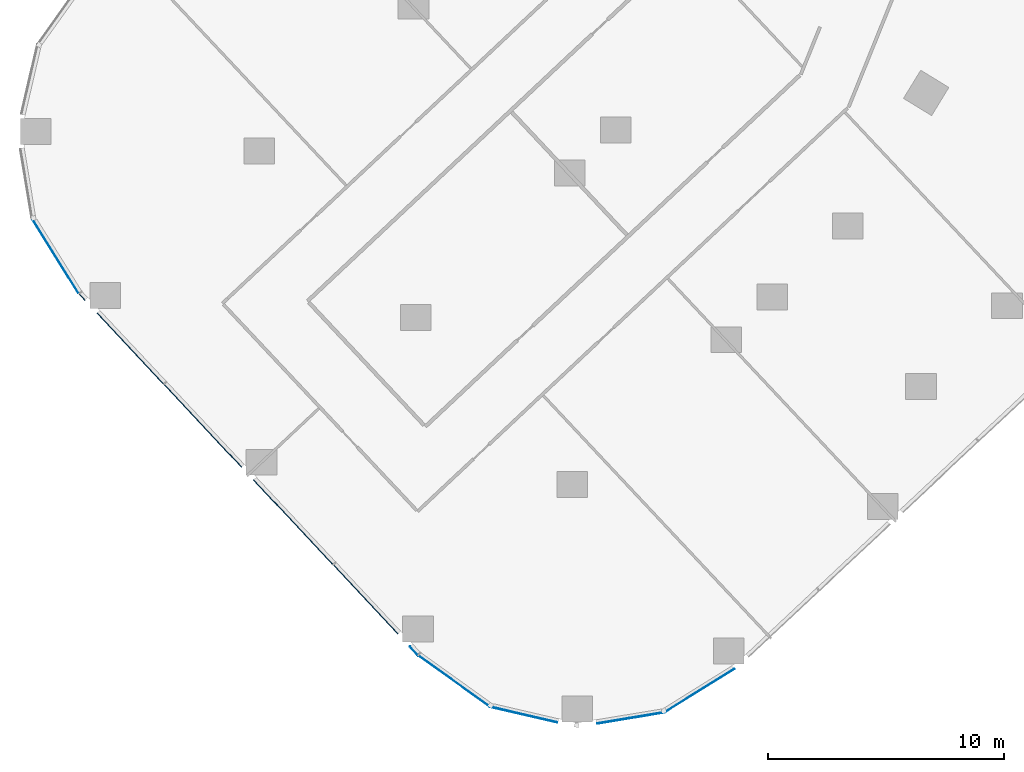
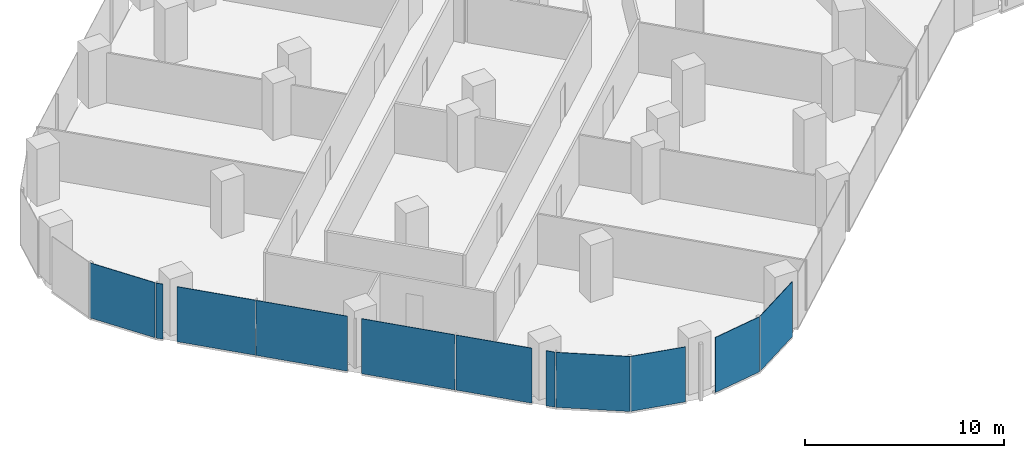
# One storey, part 17 of 34: 11 plates, 6 elements without a shape of their own.
"""IFC4 building model written with IfcOpenShell, lengths in metres."""

from ifc_helpers import new_model, si_unit, direction, frame, origin, origin_2d, place, context, subcontext, project, spatial, rectangle, extrude, material, layer, layer_set, type_object, element, aggregate, save


model = new_model("IFC4")

# Units and contexts
model_context = context("Model", 3, precision=1e-05, world=origin(), true_north=direction((0.0, 1.0)))
body_context = subcontext(model_context, "Body", "Model", "MODEL_VIEW")
ifc_project = project(units=[si_unit("LENGTHUNIT", "METRE"), si_unit("AREAUNIT", "SQUARE_METRE"), si_unit("VOLUMEUNIT", "CUBIC_METRE"), si_unit("PLANEANGLEUNIT", "RADIAN"), si_unit("MASSUNIT", "GRAM", prefix="KILO")], contexts=[model_context])

# Site, building, storey
site_placement = place(None, origin())
site = spatial("IfcSite", under=ifc_project, at=site_placement, CompositionType="ELEMENT")
building_placement = place(site_placement, origin())
building = spatial("IfcBuilding", under=site, at=building_placement, Name="Orlundy Tower", CompositionType="ELEMENT")
storey_placement = place(building_placement, frame((0.0, 0.0, 44.300048828125)))
storey = spatial("IfcBuildingStorey", under=building, at=storey_placement, Name="L09", CompositionType="ELEMENT", Elevation=44.300048828125)

# Curtain wall, plate
ifc_material_1 = material(Name="Aluminium bronze anodised", Category="aluminium")
curtain_wall_type = type_object("IfcCurtainWallType", Name="CW1 wall", PredefinedType="NOTDEFINED", material=ifc_material_1)
curtain_wall_1_placement = place(storey_placement, origin())
curtain_wall_1 = element("IfcCurtainWall", 1, at=curtain_wall_1_placement, inside=storey, type_object=curtain_wall_type, Name="CW1 run 019", PredefinedType="NOTDEFINED")
ifc_material_2 = material(Name="Tinted glass", Category="glass")
ifc_layer = layer(ifc_material_2, 0.031982421875)
ifc_layer_set = layer_set([ifc_layer], Name="CW1 glass panel 32")
plate_type = type_object("IfcPlateType", Name="CW1 glass panel 32", PredefinedType="CURTAIN_PANEL", material=ifc_layer_set)
plate_1_placement = place(storey_placement, frame((-25.117431640625, -50.668701171875, -0.300048828125), z_axis=(0.0, 0.0, 1.0), x_axis=(-0.848951715627, -0.528470419734, 0.0)))
plate_1 = element("IfcPlate", 2, at=plate_1_placement, type_object=plate_type, Name="CW1 panel", PredefinedType="CURTAIN_PANEL", context=body_context, shape_type="SweptSolid", body=[
    extrude(rectangle(XDim=3.49951171875, YDim=0.031982421875, at=origin_2d()), origin(), (0.0, 0.0, 1.0), 3.3798828125),
])
aggregate(curtain_wall_1, [plate_1])

curtain_wall_2_placement = place(storey_placement, origin())
curtain_wall_2 = element("IfcCurtainWall", 3, at=curtain_wall_2_placement, inside=storey, type_object=curtain_wall_type, Name="CW1 run 020", PredefinedType="NOTDEFINED")
plate_2_placement = place(storey_placement, frame((-28.02587890625, -51.82958984375, -0.300048828125), z_axis=(0.0, 0.0, 1.0), x_axis=(-0.986495831177, -0.163786370223, 0.0)))
plate_2 = element("IfcPlate", 4, at=plate_2_placement, type_object=plate_type, Name="CW1 panel", PredefinedType="CURTAIN_PANEL", context=body_context, shape_type="SweptSolid", body=[
    extrude(rectangle(XDim=2.885009765625, YDim=0.031982421875, at=origin_2d()), origin(), (0.0, 0.0, 1.0), 3.3798828125),
])
aggregate(curtain_wall_2, [plate_2])

curtain_wall_3_placement = place(storey_placement, origin())
curtain_wall_3 = element("IfcCurtainWall", 5, at=curtain_wall_3_placement, inside=storey, type_object=curtain_wall_type, Name="CW1 run 021", PredefinedType="NOTDEFINED")
plate_3_placement = place(storey_placement, frame((-32.573486328125, -51.688232421875, -0.300048828125), z_axis=(0.0, 0.0, 1.0), x_axis=(-0.974053680026, 0.226317097073, 0.0)))
plate_3 = element("IfcPlate", 6, at=plate_3_placement, type_object=plate_type, Name="CW1 panel", PredefinedType="CURTAIN_PANEL", context=body_context, shape_type="SweptSolid", body=[
    extrude(rectangle(XDim=2.9248046875, YDim=0.031982421875, at=origin_2d()), origin(), (0.0, 0.0, 1.0), 3.3798828125),
])
aggregate(curtain_wall_3, [plate_3])

curtain_wall_4_placement = place(storey_placement, origin())
curtain_wall_4 = element("IfcCurtainWall", 7, at=curtain_wall_4_placement, inside=storey, type_object=curtain_wall_type, Name="CW1 run 022", PredefinedType="NOTDEFINED")
plate_4_placement = place(storey_placement, frame((-35.514404296875, -50.27197265625, -0.300048828125), z_axis=(0.0, 0.0, 1.0), x_axis=(-0.813204454711, 0.58197810512, 0.0)))
plate_4 = element("IfcPlate", 8, at=plate_4_placement, type_object=plate_type, Name="CW1 panel", PredefinedType="CURTAIN_PANEL", context=body_context, shape_type="SweptSolid", body=[
    extrude(rectangle(XDim=3.72998046875, YDim=0.031982421875, at=origin_2d()), origin(), (0.0, 0.0, 1.0), 3.3798828125),
])
aggregate(curtain_wall_4, [plate_4])

# Curtain wall, plates
curtain_wall_5_placement = place(storey_placement, origin())
curtain_wall_5 = element("IfcCurtainWall", 9, at=curtain_wall_5_placement, inside=storey, type_object=curtain_wall_type, Name="CW1 run 023", PredefinedType="NOTDEFINED")
plate_5_placement = place(storey_placement, frame((-37.232666015625, -48.978759765625, -0.300048828125), z_axis=(0.0, 0.0, 1.0), x_axis=(-0.684126430551, 0.729363439598, 0.0)))
plate_5 = element("IfcPlate", 10, at=plate_5_placement, type_object=plate_type, Name="CW1 panel", PredefinedType="CURTAIN_PANEL", context=body_context, shape_type="SweptSolid", body=[
    extrude(rectangle(XDim=0.4794921875, YDim=0.031982421875, at=origin_2d()), origin(), (0.0, 0.0, 1.0), 3.3798828125),
])
plate_6_placement = place(storey_placement, frame((-39.27001953125, -46.806640625, -0.300048828125), z_axis=(0.0, 0.0, 1.0), x_axis=(-0.684126430551, 0.729363439598, 0.0)))
plate_6 = element("IfcPlate", 11, at=plate_6_placement, type_object=plate_type, Name="CW1 panel", PredefinedType="CURTAIN_PANEL", context=body_context, shape_type="SweptSolid", body=[
    extrude(rectangle(XDim=3.996826171875, YDim=0.031982421875, at=origin_2d()), origin(), (0.0, 0.0, 1.0), 3.3798828125),
])
plate_7_placement = place(storey_placement, frame((-42.352294921875, -43.520751953125, -0.300048828125), z_axis=(0.0, 0.0, 1.0), x_axis=(-0.684126430551, 0.729363439598, 0.0)))
plate_7 = element("IfcPlate", 12, at=plate_7_placement, type_object=plate_type, Name="CW1 panel", PredefinedType="CURTAIN_PANEL", context=body_context, shape_type="SweptSolid", body=[
    extrude(rectangle(XDim=4.91357421875, YDim=0.031982421875, at=origin_2d()), origin(), (0.0, 0.0, 1.0), 3.3798828125),
])
plate_8_placement = place(storey_placement, frame((-46.179931640625, -39.43994140625, -0.300048828125), z_axis=(0.0, 0.0, 1.0), x_axis=(-0.684126430551, 0.729363439598, 0.0)))
plate_8 = element("IfcPlate", 13, at=plate_8_placement, type_object=plate_type, Name="CW1 panel", PredefinedType="CURTAIN_PANEL", context=body_context, shape_type="SweptSolid", body=[
    extrude(rectangle(XDim=4.797119140625, YDim=0.031982421875, at=origin_2d()), origin(), (0.0, 0.0, 1.0), 3.3798828125),
])
plate_9_placement = place(storey_placement, frame((-49.261962890625, -36.154052734375, -0.300048828125), z_axis=(0.0, 0.0, 1.0), x_axis=(-0.684126430551, 0.729363439598, 0.0)))
plate_9 = element("IfcPlate", 14, at=plate_9_placement, type_object=plate_type, Name="CW1 panel", PredefinedType="CURTAIN_PANEL", context=body_context, shape_type="SweptSolid", body=[
    extrude(rectangle(XDim=4.113525390625, YDim=0.031982421875, at=origin_2d()), origin(), (0.0, 0.0, 1.0), 3.3798828125),
])
plate_10_placement = place(storey_placement, frame((-51.29931640625, -33.982177734375, -0.300048828125), z_axis=(0.0, 0.0, 1.0), x_axis=(-0.684126430551, 0.729363439598, 0.0)))
plate_10 = element("IfcPlate", 15, at=plate_10_placement, type_object=plate_type, Name="CW1 panel", PredefinedType="CURTAIN_PANEL", context=body_context, shape_type="SweptSolid", body=[
    extrude(rectangle(XDim=0.36328125, YDim=0.031982421875, at=origin_2d()), origin(), (0.0, 0.0, 1.0), 3.3798828125),
])
aggregate(curtain_wall_5, [plate_5, plate_6, plate_7, plate_8, plate_9, plate_10])

# Curtain wall, plate
curtain_wall_6_placement = place(storey_placement, origin())
curtain_wall_6 = element("IfcCurtainWall", 16, at=curtain_wall_6_placement, inside=storey, type_object=curtain_wall_type, Name="CW1 run 024", PredefinedType="NOTDEFINED")
plate_11_placement = place(storey_placement, frame((-52.440185546875, -32.22705078125, -0.300048828125), z_axis=(0.0, 0.0, 1.0), x_axis=(-0.528785864693, 0.848755270558, 0.0)))
plate_11 = element("IfcPlate", 17, at=plate_11_placement, type_object=plate_type, Name="CW1 panel", PredefinedType="CURTAIN_PANEL", context=body_context, shape_type="SweptSolid", body=[
    extrude(rectangle(XDim=3.730224609375, YDim=0.031982421875, at=origin_2d()), origin(), (0.0, 0.0, 1.0), 3.3798828125),
])
aggregate(curtain_wall_6, [plate_11])

save(model, "model.ifc")
